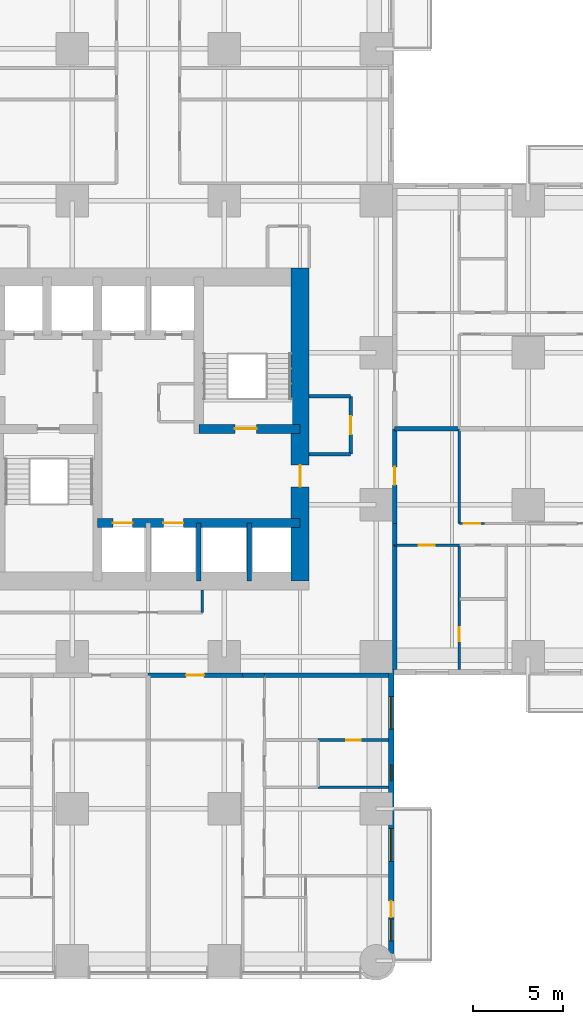
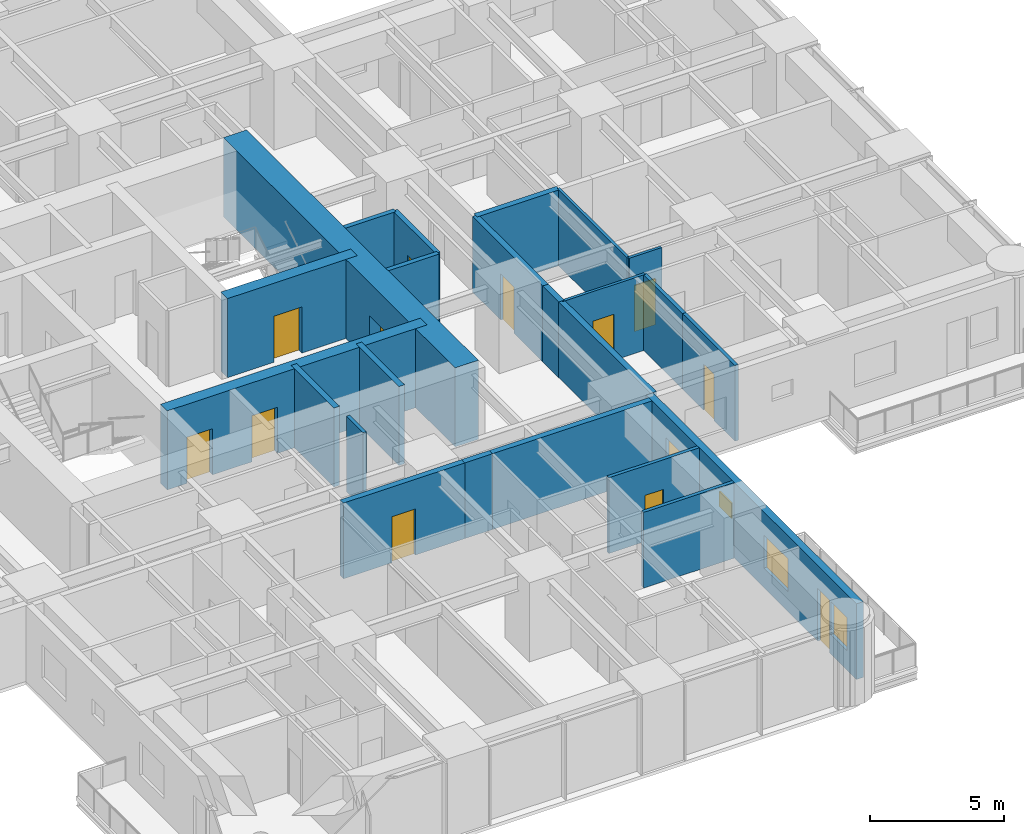
# One storey, part 10 of 17: 24 walls, 12 doors, 4 windows, 16 openings.
"""IFC4 building model written with IfcOpenShell, lengths in metres."""

from ifc_helpers import new_model, si_unit, direction, frame, frame_2d, origin, place, context, subcontext, project, spatial, rectangle, extrude, material, layer, layer_set, type_object, element, fill, save


model = new_model("IFC4")

# Units and contexts
model_context = context("Model", 3, precision=1e-05, world=origin(), true_north=direction((0.0, 1.0)))
body_context = subcontext(model_context, "Body", "Model", "MODEL_VIEW")
ifc_project = project(units=[si_unit("LENGTHUNIT", "METRE"), si_unit("AREAUNIT", "SQUARE_METRE"), si_unit("VOLUMEUNIT", "CUBIC_METRE"), si_unit("PLANEANGLEUNIT", "RADIAN"), si_unit("MASSUNIT", "GRAM", prefix="KILO")], contexts=[model_context])

# Site, building, storey
site_placement = place(None, origin())
site = spatial("IfcSite", under=ifc_project, at=site_placement, CompositionType="ELEMENT")
building_placement = place(site_placement, origin())
building = spatial("IfcBuilding", under=site, at=building_placement, Name="Torre Alcanfor", CompositionType="ELEMENT")
storey_placement = place(building_placement, frame((0.0, 0.0, 34.5)))
storey = spatial("IfcBuildingStorey", under=building, at=storey_placement, Name="L07", CompositionType="ELEMENT", Elevation=34.5)

# Wall, opening, door
ifc_material_1 = material(Name="Concrete block masonry, hollow blocks NMX-C-404 9 MPa", Category="masonry")
ifc_layer_1 = layer(ifc_material_1, 0.25)
ifc_layer_set_1 = layer_set([ifc_layer_1], Name="Apartment entrance wall 250 EI 60")
wall_type_1 = type_object("IfcWallType", Name="Apartment entrance wall 250 EI 60", PredefinedType="PARTITIONING", material=ifc_layer_set_1)
wall_1_placement = place(storey_placement, frame((43.02490234375, 29.39990234375, 0.0), z_axis=(0.0, 0.0, 1.0), x_axis=(0.0, -1.0, 0.0)))
wall_1 = element("IfcWall", 1, at=wall_1_placement, inside=storey, type_object=wall_type_1, Name="Partition L07-CORR / L07-E2-ZAG", PredefinedType="PARTITIONING", context=body_context, shape_type="SweptSolid", body=[
    extrude(rectangle(XDim=5.22900390625, YDim=0.25, at=frame_2d((2.614501953125, 0.0))), origin(), (0.0, 0.0, 1.0), 3.449951171875),
])
opening_1_placement = place(wall_1_placement, frame((2.10009765625, 0.0, 0.0)))
opening_1 = element("IfcOpeningElement", 2, at=opening_1_placement, cuts=wall_1, Name="Opening D-A1", PredefinedType="OPENING", context=body_context, shape_type="SweptSolid", body=[
    extrude(rectangle(XDim=1.0, YDim=2.10009765625, at=frame_2d((0.5, 1.050048828125))), frame((0.0, 0.135009765625, 0.0), z_axis=(0.0, -1.0, 0.0), x_axis=(1.0, 0.0, 0.0)), (0.0, 0.0, 1.0), 0.27001953125),
])
ifc_material_2 = material(Name="Galvanised steel sheet ASTM A653", Category="steel")
door_type_1 = type_object("IfcDoorType", Name="Apartment entrance door FD60 1000x2100", OperationType="SINGLE_SWING_LEFT", PredefinedType="DOOR", material=ifc_material_2)
door_1_placement = place(opening_1_placement, origin())
door_1 = element("IfcDoor", 3, at=door_1_placement, inside=storey, type_object=door_type_1, Name="Apartment entrance L07-E2", OperationType="SINGLE_SWING_LEFT", OverallHeight=2.10009765625, OverallWidth=1.0, PredefinedType="DOOR", context=body_context, shape_type="SweptSolid", body=[
    extrude(rectangle(XDim=1.0, YDim=2.10009765625, at=frame_2d((0.5, 1.050048828125))), frame((0.0, 0.02490234375, 0.0), z_axis=(0.0, -1.0, 0.0), x_axis=(1.0, 0.0, 0.0)), (0.0, 0.0, 1.0), 0.050048828125),
])
fill(opening_1, door_1)

# Walls
wall_2_placement = place(storey_placement, frame((43.02490234375, 24.1708984375, 0.0), z_axis=(0.0, 0.0, 1.0), x_axis=(0.0, -1.0, 0.0)))
element("IfcWall", 4, at=wall_2_placement, inside=storey, type_object=wall_type_1, Name="Partition L07-CORR / L07-E2-HALL", PredefinedType="PARTITIONING", context=body_context, shape_type="SweptSolid", body=[
    extrude(rectangle(XDim=1.199951171875, YDim=0.25, at=frame_2d((0.60009765625, 0.0))), origin(), (0.0, 0.0, 1.0), 3.449951171875),
])
wall_3_placement = place(storey_placement, frame((43.02490234375, 22.970947265625, 0.0), z_axis=(0.0, 0.0, 1.0), x_axis=(0.0, -1.0, 0.0)))
element("IfcWall", 5, at=wall_3_placement, inside=storey, type_object=wall_type_1, Name="Partition L07-CORR / L07-E2-SERV", PredefinedType="PARTITIONING", context=body_context, shape_type="SweptSolid", body=[
    extrude(rectangle(XDim=6.870849609375, YDim=0.25, at=frame_2d((3.435546875, 0.0))), origin(), (0.0, 0.0, 1.0), 3.449951171875),
])

# Wall, opening, door
wall_4_placement = place(storey_placement, frame((34.62890625, 15.77490234375, 0.0), z_axis=(0.0, 0.0, 1.0), x_axis=(-1.0, 0.0, 0.0)))
wall_4 = element("IfcWall", 6, at=wall_4_placement, inside=storey, type_object=wall_type_1, Name="Partition L07-CORR / L07-S1-ZAG", PredefinedType="PARTITIONING", context=body_context, shape_type="SweptSolid", body=[
    extrude(rectangle(XDim=5.22900390625, YDim=0.25, at=frame_2d((2.614501953125, 0.0))), origin(), (0.0, 0.0, 1.0), 3.449951171875),
])
opening_2_placement = place(wall_4_placement, frame((2.12890625, 0.0, 0.0)))
opening_2 = element("IfcOpeningElement", 7, at=opening_2_placement, cuts=wall_4, Name="Opening D-A1", PredefinedType="OPENING", context=body_context, shape_type="SweptSolid", body=[
    extrude(rectangle(XDim=1.0, YDim=2.10009765625, at=frame_2d((0.5, 1.050048828125))), frame((0.0, 0.135009765625, 0.0), z_axis=(0.0, -1.0, 0.0), x_axis=(1.0, 0.0, 0.0)), (0.0, 0.0, 1.0), 0.27001953125),
])
door_2_placement = place(opening_2_placement, origin())
door_2 = element("IfcDoor", 8, at=door_2_placement, inside=storey, type_object=door_type_1, Name="Apartment entrance L07-S1", OperationType="SINGLE_SWING_RIGHT", OverallHeight=2.10009765625, OverallWidth=1.0, PredefinedType="DOOR", context=body_context, shape_type="SweptSolid", body=[
    extrude(rectangle(XDim=1.0, YDim=2.10009765625, at=frame_2d((0.5, 1.050048828125))), frame((0.0, 0.02490234375, 0.0), z_axis=(0.0, -1.0, 0.0), x_axis=(1.0, 0.0, 0.0)), (0.0, 0.0, 1.0), 0.050048828125),
])
fill(opening_2, door_2)

# Walls
wall_5_placement = place(storey_placement, frame((35.8291015625, 15.77490234375, 0.0), z_axis=(0.0, 0.0, 1.0), x_axis=(-1.0, 0.0, 0.0)))
element("IfcWall", 9, at=wall_5_placement, inside=storey, type_object=wall_type_1, Name="Partition L07-CORR / L07-S1-HALL", PredefinedType="PARTITIONING", context=body_context, shape_type="SweptSolid", body=[
    extrude(rectangle(XDim=1.2001953125, YDim=0.25, at=frame_2d((0.60009765625, 0.0))), origin(), (0.0, 0.0, 1.0), 3.449951171875),
])
wall_6_placement = place(storey_placement, frame((42.699951171875, 15.77490234375, 0.0), z_axis=(0.0, 0.0, 1.0), x_axis=(-1.0, 0.0, 0.0)))
element("IfcWall", 10, at=wall_6_placement, inside=storey, type_object=wall_type_1, Name="Partition L07-CORR / L07-S1-SERV", PredefinedType="PARTITIONING", context=body_context, shape_type="SweptSolid", body=[
    extrude(rectangle(XDim=6.870849609375, YDim=0.25, at=frame_2d((3.435546875, 0.0))), origin(), (0.0, 0.0, 1.0), 3.449951171875),
])
ifc_material_3 = material(Name="Gypsum board on steel studs", Category="steel")
ifc_layer_2 = layer(ifc_material_3, 0.1201171875)
ifc_layer_set_2 = layer_set([ifc_layer_2], Name="Apartment partition 120")
wall_type_2 = type_object("IfcWallType", Name="Apartment partition 120", PredefinedType="PARTITIONING", material=ifc_layer_set_2)
wall_7_placement = place(storey_placement, frame((46.60009765625, 29.39990234375, 0.0), z_axis=(0.0, 0.0, 1.0), x_axis=(0.0, -1.0, 0.0)))
element("IfcWall", 11, at=wall_7_placement, inside=storey, type_object=wall_type_2, Name="Partition L07-E2-ZAG / L07-E2-LAUND", PredefinedType="PARTITIONING", context=body_context, shape_type="SweptSolid", body=[
    extrude(rectangle(XDim=5.22900390625, YDim=0.1201171875, at=frame_2d((2.614501953125, 0.0))), origin(), (0.0, 0.0, 1.0), 3.449951171875),
])

# Wall, opening, door
wall_8_placement = place(storey_placement, frame((48.0, 24.1708984375, 0.0), z_axis=(0.0, 0.0, 1.0), x_axis=(-1.0, 0.0, 0.0)))
wall_8 = element("IfcWall", 12, at=wall_8_placement, inside=storey, type_object=wall_type_2, Name="Partition L07-E2-LAUND / L07-E2-HALL", PredefinedType="PARTITIONING", context=body_context, shape_type="SweptSolid", body=[
    extrude(rectangle(XDim=1.39990234375, YDim=0.1201171875, at=frame_2d((0.699951171875, 0.0))), origin(), (0.0, 0.0, 1.0), 3.449951171875),
])
opening_3_placement = place(wall_8_placement, frame((0.25, 0.0, 0.0)))
opening_3 = element("IfcOpeningElement", 13, at=opening_3_placement, cuts=wall_8, Name="Opening D-R1", PredefinedType="OPENING", context=body_context, shape_type="SweptSolid", body=[
    extrude(rectangle(XDim=0.89990234375, YDim=2.10009765625, at=frame_2d((0.449951171875, 1.050048828125))), frame((0.0, 0.070068359375, 0.0), z_axis=(0.0, -1.0, 0.0), x_axis=(1.0, 0.0, 0.0)), (0.0, 0.0, 1.0), 0.14013671875),
])
ifc_material_4 = material(Name="Timber", Category="wood")
door_type_2 = type_object("IfcDoorType", Name="Internal door 900x2100", OperationType="SINGLE_SWING_LEFT", PredefinedType="DOOR", material=ifc_material_4)
door_3_placement = place(opening_3_placement, frame((0.89990234375, 0.0, 0.0), z_axis=(0.0, 0.0, 1.0), x_axis=(-1.0, 0.0, 0.0)))
door_3 = element("IfcDoor", 14, at=door_3_placement, inside=storey, type_object=door_type_2, Name="Door L07-E2 laund", OperationType="SINGLE_SWING_RIGHT", OverallHeight=2.10009765625, OverallWidth=0.89990234375, PredefinedType="DOOR", context=body_context, shape_type="SweptSolid", body=[
    extrude(rectangle(XDim=0.89990234375, YDim=2.10009765625, at=frame_2d((0.449951171875, 1.050048828125))), frame((0.0, 0.025146484375, 0.0), z_axis=(0.0, -1.0, 0.0), x_axis=(1.0, 0.0, 0.0)), (0.0, 0.0, 1.0), 0.050048828125),
])
fill(opening_3, door_3)

wall_9_placement = place(storey_placement, frame((46.60009765625, 22.970947265625, 0.0), z_axis=(0.0, 0.0, 1.0), x_axis=(-1.0, 0.0, 0.0)))
wall_9 = element("IfcWall", 15, at=wall_9_placement, inside=storey, type_object=wall_type_2, Name="Partition L07-E2-HALL / L07-E2-SERV", PredefinedType="PARTITIONING", context=body_context, shape_type="SweptSolid", body=[
    extrude(rectangle(XDim=3.5751953125, YDim=0.1201171875, at=frame_2d((1.78759765625, 0.0))), origin(), (0.0, 0.0, 1.0), 3.449951171875),
])
opening_4_placement = place(wall_9_placement, frame((1.35009765625, 0.0, 0.0)))
opening_4 = element("IfcOpeningElement", 16, at=opening_4_placement, cuts=wall_9, Name="Opening D-R1", PredefinedType="OPENING", context=body_context, shape_type="SweptSolid", body=[
    extrude(rectangle(XDim=0.89990234375, YDim=2.10009765625, at=frame_2d((0.449951171875, 1.050048828125))), frame((0.0, 0.070068359375, 0.0), z_axis=(0.0, -1.0, 0.0), x_axis=(1.0, 0.0, 0.0)), (0.0, 0.0, 1.0), 0.14013671875),
])
door_4_placement = place(opening_4_placement, origin())
door_4 = element("IfcDoor", 17, at=door_4_placement, inside=storey, type_object=door_type_2, Name="Door L07-E2 serv", OperationType="SINGLE_SWING_RIGHT", OverallHeight=2.10009765625, OverallWidth=0.89990234375, PredefinedType="DOOR", context=body_context, shape_type="SweptSolid", body=[
    extrude(rectangle(XDim=0.89990234375, YDim=2.10009765625, at=frame_2d((0.449951171875, 1.050048828125))), frame((0.0, 0.02490234375, 0.0), z_axis=(0.0, -1.0, 0.0), x_axis=(1.0, 0.0, 0.0)), (0.0, 0.0, 1.0), 0.050048828125),
])
fill(opening_4, door_4)

# Wall, openings, doors
ifc_material_5 = material(Name="Concrete f'c 70 MPa", Category="concrete")
ifc_layer_3 = layer(ifc_material_5, 0.5)
ifc_layer_set_3 = layer_set([ifc_layer_3], Name="Core inner wall 500 f'c70")
wall_type_3 = type_object("IfcWallType", Name="Core inner wall 500 f'c70", PredefinedType="SHEAR", material=ifc_layer_set_3)
wall_10_placement = place(storey_placement, frame((26.60009765625, 24.199951171875, 0.0), z_axis=(0.0, 0.0, 1.0), x_axis=(1.0, 0.0, 0.0)))
wall_10 = element("IfcWall", 18, at=wall_10_placement, inside=storey, type_object=wall_type_3, Name="Core wall Y242 L07", PredefinedType="SHEAR", context=body_context, shape_type="SweptSolid", body=[
    extrude(rectangle(XDim=11.199951171875, YDim=0.5, at=frame_2d((5.60009765625, 0.0))), origin(), (0.0, 0.0, 1.0), 3.60009765625),
])
opening_5_placement = place(wall_10_placement, frame((0.85009765625, 0.0, 0.0)))
opening_5 = element("IfcOpeningElement", 19, at=opening_5_placement, cuts=wall_10, Name="Opening LD1", PredefinedType="OPENING", context=body_context, shape_type="SweptSolid", body=[
    extrude(rectangle(XDim=1.10009765625, YDim=2.10009765625, at=frame_2d((0.550048828125, 1.050048828125))), frame((0.0, 0.260009765625, 0.0), z_axis=(0.0, -1.0, 0.0), x_axis=(1.0, 0.0, 0.0)), (0.0, 0.0, 1.0), 0.52001953125),
])
opening_6_placement = place(wall_10_placement, frame((3.64990234375, 0.0, 0.0)))
opening_6 = element("IfcOpeningElement", 20, at=opening_6_placement, cuts=wall_10, Name="Opening LD1", PredefinedType="OPENING", context=body_context, shape_type="SweptSolid", body=[
    extrude(rectangle(XDim=1.10009765625, YDim=2.10009765625, at=frame_2d((0.550048828125, 1.050048828125))), frame((0.0, 0.260009765625, 0.0), z_axis=(0.0, -1.0, 0.0), x_axis=(1.0, 0.0, 0.0)), (0.0, 0.0, 1.0), 0.52001953125),
])
ifc_material_6 = material(Name="Galvanised steel sheet ASTM A653", Category="steel")
door_type_3 = type_object("IfcDoorType", Name="Lift landing door 1100x2100", OperationType="DOUBLE_DOOR_SLIDING", PredefinedType="DOOR", material=ifc_material_6)
door_5_placement = place(opening_5_placement, origin())
door_5 = element("IfcDoor", 21, at=door_5_placement, inside=storey, type_object=door_type_3, Name="Lift landing door PA1 L07", OperationType="DOUBLE_DOOR_SLIDING", OverallHeight=2.10009765625, OverallWidth=1.10009765625, PredefinedType="DOOR", context=body_context, shape_type="SweptSolid", body=[
    extrude(rectangle(XDim=1.10009765625, YDim=2.10009765625, at=frame_2d((0.550048828125, 1.050048828125))), frame((0.0, 0.02490234375, 0.0), z_axis=(0.0, -1.0, 0.0), x_axis=(1.0, 0.0, 0.0)), (0.0, 0.0, 1.0), 0.050048828125),
])
fill(opening_5, door_5)
door_6_placement = place(opening_6_placement, origin())
door_6 = element("IfcDoor", 22, at=door_6_placement, inside=storey, type_object=door_type_3, Name="Lift landing door PA2 L07", OperationType="DOUBLE_DOOR_SLIDING", OverallHeight=2.10009765625, OverallWidth=1.10009765625, PredefinedType="DOOR", context=body_context, shape_type="SweptSolid", body=[
    extrude(rectangle(XDim=1.10009765625, YDim=2.10009765625, at=frame_2d((0.550048828125, 1.050048828125))), frame((0.0, 0.02490234375, 0.0), z_axis=(0.0, -1.0, 0.0), x_axis=(1.0, 0.0, 0.0)), (0.0, 0.0, 1.0), 0.050048828125),
])
fill(opening_6, door_6)

# Wall, opening, door
wall_11_placement = place(storey_placement, frame((32.199951171875, 29.39990234375, 0.0), z_axis=(0.0, 0.0, 1.0), x_axis=(1.0, 0.0, 0.0)))
wall_11 = element("IfcWall", 23, at=wall_11_placement, inside=storey, type_object=wall_type_3, Name="Core wall Y294E L07", PredefinedType="SHEAR", context=body_context, shape_type="SweptSolid", body=[
    extrude(rectangle(XDim=5.60009765625, YDim=0.5, at=frame_2d((2.800048828125, 0.0))), origin(), (0.0, 0.0, 1.0), 3.60009765625),
])
opening_7_placement = place(wall_11_placement, frame((2.0, 0.0, 0.0)))
opening_7 = element("IfcOpeningElement", 24, at=opening_7_placement, cuts=wall_11, Name="Opening D-S2", PredefinedType="OPENING", context=body_context, shape_type="SweptSolid", body=[
    extrude(rectangle(XDim=1.199951171875, YDim=2.10009765625, at=frame_2d((0.60009765625, 1.050048828125))), frame((0.0, 0.260009765625, 0.0), z_axis=(0.0, -1.0, 0.0), x_axis=(1.0, 0.0, 0.0)), (0.0, 0.0, 1.0), 0.52001953125),
])
ifc_material_7 = material(Name="Galvanised steel sheet ASTM A653", Category="steel")
door_type_4 = type_object("IfcDoorType", Name="Stair enclosure door FD120 1200x2100", OperationType="SINGLE_SWING_LEFT", PredefinedType="DOOR", material=ifc_material_7)
door_7_placement = place(opening_7_placement, origin())
door_7 = element("IfcDoor", 25, at=door_7_placement, inside=storey, type_object=door_type_4, Name="Stair S2 door L07", OperationType="SINGLE_SWING_LEFT", OverallHeight=2.10009765625, OverallWidth=1.199951171875, PredefinedType="DOOR", context=body_context, shape_type="SweptSolid", body=[
    extrude(rectangle(XDim=1.199951171875, YDim=2.10009765625, at=frame_2d((0.60009765625, 1.050048828125))), frame((0.0, 0.02490234375, 0.0), z_axis=(0.0, -1.0, 0.0), x_axis=(1.0, 0.0, 0.0)), (0.0, 0.0, 1.0), 0.050048828125),
])
fill(opening_7, door_7)

# Walls
ifc_material_8 = material(Name="Concrete f'c 70 MPa", Category="concrete")
ifc_layer_4 = layer(ifc_material_8, 0.25)
ifc_layer_set_4 = layer_set([ifc_layer_4], Name="Core shaft wall 250 f'c70")
wall_type_4 = type_object("IfcWallType", Name="Core shaft wall 250 f'c70", PredefinedType="SHEAR", material=ifc_layer_set_4)
for number, where, z_axis, x_axis, name in (
    (26, (32.199951171875, 21.0, 0.0), (0.0, 0.0, 1.0), (0.0, 1.0, 0.0), "Core wall X322S L07"),
    (27, (35.0, 21.0, 0.0), (0.0, 0.0, 1.0), (0.0, 1.0, 0.0), "Core wall X350S L07"),
):
    element("IfcWall", number, at=place(storey_placement, frame(where, z_axis=z_axis, x_axis=x_axis)), inside=storey, type_object=wall_type_4, Name=name, PredefinedType="SHEAR", context=body_context, shape_type="SweptSolid", body=[
        extrude(rectangle(XDim=3.199951171875, YDim=0.25, at=frame_2d((1.60009765625, 0.0))), origin(), (0.0, 0.0, 1.0), 3.60009765625),
    ])

# Wall, opening, door
ifc_material_9 = material(Name="Concrete f'c 70 MPa", Category="concrete")
ifc_layer_5 = layer(ifc_material_9, 1.0)
ifc_layer_set_5 = layer_set([ifc_layer_5], Name="Core wall 1000 f'c70")
wall_type_5 = type_object("IfcWallType", Name="Core wall 1000 f'c70", PredefinedType="SHEAR", material=ifc_layer_set_5)
wall_12_placement = place(storey_placement, frame((37.800048828125, 21.0, 0.0), z_axis=(0.0, 0.0, 1.0), x_axis=(0.0, 1.0, 0.0)))
wall_12 = element("IfcWall", 28, at=wall_12_placement, inside=storey, type_object=wall_type_5, Name="Core wall OUT-E L07", PredefinedType="SHEAR", context=body_context, shape_type="SweptSolid", body=[
    extrude(rectangle(XDim=17.300048828125, YDim=1.0, at=frame_2d((8.64990234375, 0.0))), origin(), (0.0, 0.0, 1.0), 3.60009765625),
])
opening_8_placement = place(wall_12_placement, frame((5.199951171875, 0.0, 0.0)))
opening_8 = element("IfcOpeningElement", 29, at=opening_8_placement, cuts=wall_12, Name="Opening D-L1", PredefinedType="OPENING", context=body_context, shape_type="SweptSolid", body=[
    extrude(rectangle(XDim=1.199951171875, YDim=2.10009765625, at=frame_2d((0.60009765625, 1.050048828125))), frame((0.0, 0.510009765625, 0.0), z_axis=(0.0, -1.0, 0.0), x_axis=(1.0, 0.0, 0.0)), (0.0, 0.0, 1.0), 1.02001953125),
])
ifc_material_10 = material(Name="Galvanised steel sheet ASTM A653", Category="steel")
door_type_5 = type_object("IfcDoorType", Name="Lobby door FD120 1200x2100", OperationType="SINGLE_SWING_LEFT", PredefinedType="DOOR", material=ifc_material_10)
door_8_placement = place(opening_8_placement, origin())
door_8 = element("IfcDoor", 30, at=door_8_placement, inside=storey, type_object=door_type_5, Name="Lift lobby entrance door L07", OperationType="SINGLE_SWING_LEFT", OverallHeight=2.10009765625, OverallWidth=1.199951171875, PredefinedType="DOOR", context=body_context, shape_type="SweptSolid", body=[
    extrude(rectangle(XDim=1.199951171875, YDim=2.10009765625, at=frame_2d((0.60009765625, 1.050048828125))), frame((0.0, 0.02490234375, 0.0), z_axis=(0.0, -1.0, 0.0), x_axis=(1.0, 0.0, 0.0)), (0.0, 0.0, 1.0), 0.050048828125),
])
fill(opening_8, door_8)

# Wall, openings, door, windows
ifc_material_11 = material(Name="Limestone cladding", Category="masonry")
ifc_layer_6 = layer(ifc_material_11, 0.0400390625, Name="Facing")
ifc_material_12 = material(Name="Ventilated air cavity")
ifc_layer_7 = layer(ifc_material_12, 0.02001953125, ventilated=True, Name="Ventilated joint")
ifc_material_13 = material(Name="Mineral wool insulation", Category="insulation")
ifc_layer_8 = layer(ifc_material_13, 0.10009765625, Name="Insulation")
ifc_material_14 = material(Name="Concrete f'c 35 MPa", Category="concrete")
ifc_layer_9 = layer(ifc_material_14, 0.139892578125, Name="Backing")
ifc_layer_set_6 = layer_set([ifc_layer_6, ifc_layer_7, ifc_layer_8, ifc_layer_9], Name="External wall stone-clad 300")
wall_type_6 = type_object("IfcWallType", Name="External wall stone-clad 300", PredefinedType="SOLIDWALL", material=ifc_layer_set_6)
wall_13_placement = place(storey_placement, frame((42.85009765625, 0.39990234375, 0.0), z_axis=(0.0, 0.0, 1.0), x_axis=(0.0, 1.0, 0.0)))
wall_13 = element("IfcWall", 31, at=wall_13_placement, inside=storey, type_object=wall_type_6, Name="External wall L07 6", PredefinedType="SOLIDWALL", context=body_context, shape_type="SweptSolid", body=[
    extrude(rectangle(XDim=15.7001953125, YDim=0.300048828125, at=frame_2d((7.85009765625, 0.0))), origin(), (0.0, 0.0, 1.0), 3.449951171875),
])
opening_9_placement = place(wall_13_placement, frame((12.39990234375, 0.0, 0.89990234375)))
opening_9 = element("IfcOpeningElement", 32, at=opening_9_placement, cuts=wall_13, Name="Opening W2", PredefinedType="OPENING", context=body_context, shape_type="SweptSolid", body=[
    extrude(rectangle(XDim=1.800048828125, YDim=1.5, at=frame_2d((0.89990234375, 0.75))), frame((0.0, 0.159912109375, 0.0), z_axis=(0.0, -1.0, 0.0), x_axis=(1.0, 0.0, 0.0)), (0.0, 0.0, 1.0), 0.320068359375),
])
opening_10_placement = place(wall_13_placement, frame((9.550048828125, 0.0, 1.5)))
opening_10 = element("IfcOpeningElement", 33, at=opening_10_placement, cuts=wall_13, Name="Opening W3", PredefinedType="OPENING", context=body_context, shape_type="SweptSolid", body=[
    extrude(rectangle(XDim=0.89990234375, YDim=0.699951171875, at=frame_2d((0.449951171875, 0.35009765625))), frame((0.0, 0.159912109375, 0.0), z_axis=(0.0, -1.0, 0.0), x_axis=(1.0, 0.0, 0.0)), (0.0, 0.0, 1.0), 0.320068359375),
])
opening_11_placement = place(wall_13_placement, frame((5.10009765625, 0.0, 0.89990234375)))
opening_11 = element("IfcOpeningElement", 34, at=opening_11_placement, cuts=wall_13, Name="Opening W2", PredefinedType="OPENING", context=body_context, shape_type="SweptSolid", body=[
    extrude(rectangle(XDim=1.800048828125, YDim=1.5, at=frame_2d((0.89990234375, 0.75))), frame((0.0, 0.159912109375, 0.0), z_axis=(0.0, -1.0, 0.0), x_axis=(1.0, 0.0, 0.0)), (0.0, 0.0, 1.0), 0.320068359375),
])
opening_12_placement = place(wall_13_placement, frame((2.0, 0.0, 0.0)))
opening_12 = element("IfcOpeningElement", 35, at=opening_12_placement, cuts=wall_13, Name="Opening D-B1", PredefinedType="OPENING", context=body_context, shape_type="SweptSolid", body=[
    extrude(rectangle(XDim=0.89990234375, YDim=2.39990234375, at=frame_2d((0.449951171875, 1.199951171875))), frame((0.0, 0.159912109375, 0.0), z_axis=(0.0, -1.0, 0.0), x_axis=(1.0, 0.0, 0.0)), (0.0, 0.0, 1.0), 0.320068359375),
])
opening_13_placement = place(wall_13_placement, frame((0.699951171875, 0.0, 0.89990234375)))
opening_13 = element("IfcOpeningElement", 36, at=opening_13_placement, cuts=wall_13, Name="Opening W4", PredefinedType="OPENING", context=body_context, shape_type="SweptSolid", body=[
    extrude(rectangle(XDim=1.199951171875, YDim=1.5, at=frame_2d((0.60009765625, 0.75))), frame((0.0, 0.159912109375, 0.0), z_axis=(0.0, -1.0, 0.0), x_axis=(1.0, 0.0, 0.0)), (0.0, 0.0, 1.0), 0.320068359375),
])
ifc_material_15 = material(Name="Aluminium and glass", Category="aluminium")
door_type_6 = type_object("IfcDoorType", Name="Balcony door glazed 900x2400", OperationType="SINGLE_SWING_LEFT", PredefinedType="DOOR", material=ifc_material_15)
door_9_placement = place(opening_12_placement, origin())
door_9 = element("IfcDoor", 37, at=door_9_placement, inside=storey, type_object=door_type_6, Name="Balcony door L07-S1", OperationType="SINGLE_SWING_RIGHT", OverallHeight=2.39990234375, OverallWidth=0.89990234375, PredefinedType="DOOR", context=body_context, shape_type="SweptSolid", body=[
    extrude(rectangle(XDim=0.89990234375, YDim=2.39990234375, at=frame_2d((0.449951171875, 1.199951171875))), frame((0.0, 0.02490234375, 0.0), z_axis=(0.0, -1.0, 0.0), x_axis=(1.0, 0.0, 0.0)), (0.0, 0.0, 1.0), 0.050048828125),
])
fill(opening_12, door_9)
ifc_material_16 = material(Name="Aluminium frame with clear double glazing", Category="aluminium")
window_type_1 = type_object("IfcWindowType", Name="Window bathroom 900x700", PartitioningType="SINGLE_PANEL", PredefinedType="WINDOW", material=ifc_material_16)
window_1_placement = place(opening_10_placement, origin())
window_1 = element("IfcWindow", 38, at=window_1_placement, inside=storey, type_object=window_type_1, Name="Window W3 L07-S1", OverallHeight=0.699951171875, OverallWidth=0.89990234375, PartitioningType="SINGLE_PANEL", PredefinedType="WINDOW", context=body_context, shape_type="SweptSolid", body=[
    extrude(rectangle(XDim=0.89990234375, YDim=0.699951171875, at=frame_2d((0.449951171875, 0.35009765625))), frame((0.0, 0.030029296875, 0.0), z_axis=(0.0, -1.0, 0.0), x_axis=(1.0, 0.0, 0.0)), (0.0, 0.0, 1.0), 0.06005859375),
])
fill(opening_10, window_1)
ifc_material_17 = material(Name="Aluminium frame with clear double glazing", Category="aluminium")
window_type_2 = type_object("IfcWindowType", Name="Window bedroom 1200x1500", PartitioningType="SINGLE_PANEL", PredefinedType="WINDOW", material=ifc_material_17)
window_2_placement = place(opening_13_placement, origin())
window_2 = element("IfcWindow", 39, at=window_2_placement, inside=storey, type_object=window_type_2, Name="Window W4 L07-S1", OverallHeight=1.5, OverallWidth=1.199951171875, PartitioningType="SINGLE_PANEL", PredefinedType="WINDOW", context=body_context, shape_type="SweptSolid", body=[
    extrude(rectangle(XDim=1.199951171875, YDim=1.5, at=frame_2d((0.60009765625, 0.75))), frame((0.0, 0.030029296875, 0.0), z_axis=(0.0, -1.0, 0.0), x_axis=(1.0, 0.0, 0.0)), (0.0, 0.0, 1.0), 0.06005859375),
])
fill(opening_13, window_2)
ifc_material_18 = material(Name="Aluminium frame with clear double glazing", Category="aluminium")
window_type_3 = type_object("IfcWindowType", Name="Window bedroom 1800x1500", PartitioningType="SINGLE_PANEL", PredefinedType="WINDOW", material=ifc_material_18)
window_3_placement = place(opening_9_placement, origin())
window_3 = element("IfcWindow", 40, at=window_3_placement, inside=storey, type_object=window_type_3, Name="Window W2 L07-S1", OverallHeight=1.5, OverallWidth=1.800048828125, PartitioningType="SINGLE_PANEL", PredefinedType="WINDOW", context=body_context, shape_type="SweptSolid", body=[
    extrude(rectangle(XDim=1.800048828125, YDim=1.5, at=frame_2d((0.89990234375, 0.75))), frame((0.0, 0.030029296875, 0.0), z_axis=(0.0, -1.0, 0.0), x_axis=(1.0, 0.0, 0.0)), (0.0, 0.0, 1.0), 0.06005859375),
])
fill(opening_9, window_3)
window_4_placement = place(opening_11_placement, origin())
window_4 = element("IfcWindow", 41, at=window_4_placement, inside=storey, type_object=window_type_3, Name="Window W2 L07-S1", OverallHeight=1.5, OverallWidth=1.800048828125, PartitioningType="SINGLE_PANEL", PredefinedType="WINDOW", context=body_context, shape_type="SweptSolid", body=[
    extrude(rectangle(XDim=1.800048828125, YDim=1.5, at=frame_2d((0.89990234375, 0.75))), frame((0.0, 0.030029296875, 0.0), z_axis=(0.0, -1.0, 0.0), x_axis=(1.0, 0.0, 0.0)), (0.0, 0.0, 1.0), 0.06005859375),
])
fill(opening_11, window_4)

# Walls
ifc_material_19 = material(Name="Concrete block masonry, hollow blocks NMX-C-404 9 MPa", Category="masonry")
ifc_layer_10 = layer(ifc_material_19, 0.25)
ifc_layer_set_7 = layer_set([ifc_layer_10], Name="Party wall 250 EI 60")
wall_type_7 = type_object("IfcWallType", Name="Party wall 250 EI 60", PredefinedType="PARTITIONING", material=ifc_layer_set_7)
wall_14_placement = place(storey_placement, frame((43.02490234375, 29.39990234375, 0.0), z_axis=(0.0, 0.0, 1.0), x_axis=(1.0, 0.0, 0.0)))
element("IfcWall", 42, at=wall_14_placement, inside=storey, type_object=wall_type_7, Name="Partition L07-E1-ZAG / L07-E2-ZAG", PredefinedType="PARTITIONING", context=body_context, shape_type="SweptSolid", body=[
    extrude(rectangle(XDim=3.5751953125, YDim=0.25, at=frame_2d((1.78759765625, 0.0))), origin(), (0.0, 0.0, 1.0), 3.449951171875),
])
ifc_material_20 = material(Name="Concrete block masonry, hollow blocks NMX-C-404 9 MPa", Category="masonry")
ifc_layer_11 = layer(ifc_material_20, 0.199951171875)
ifc_layer_set_8 = layer_set([ifc_layer_11], Name="Plant room wall 200 EI 60")
wall_type_8 = type_object("IfcWallType", Name="Plant room wall 200 EI 60", PredefinedType="PARTITIONING", material=ifc_layer_set_8)
wall_15_placement = place(storey_placement, frame((38.300048828125, 28.0, 0.0), z_axis=(0.0, 0.0, 1.0), x_axis=(1.0, 0.0, 0.0)))
element("IfcWall", 43, at=wall_15_placement, inside=storey, type_object=wall_type_8, Name="Partition L07-CORR / L07-G03", PredefinedType="PARTITIONING", context=body_context, shape_type="SweptSolid", body=[
    extrude(rectangle(XDim=2.300048828125, YDim=0.199951171875, at=frame_2d((1.14990234375, 0.0))), origin(), (0.0, 0.0, 1.0), 3.449951171875),
])

# Wall, opening, door
wall_16_placement = place(storey_placement, frame((40.60009765625, 28.0, 0.0), z_axis=(0.0, 0.0, 1.0), x_axis=(0.0, 1.0, 0.0)))
wall_16 = element("IfcWall", 44, at=wall_16_placement, inside=storey, type_object=wall_type_8, Name="Partition L07-CORR / L07-G03", PredefinedType="PARTITIONING", context=body_context, shape_type="SweptSolid", body=[
    extrude(rectangle(XDim=3.199951171875, YDim=0.199951171875, at=frame_2d((1.60009765625, 0.0))), origin(), (0.0, 0.0, 1.0), 3.449951171875),
])
opening_14_placement = place(wall_16_placement, frame((1.10009765625, 0.0, 0.0)))
opening_14 = element("IfcOpeningElement", 45, at=opening_14_placement, cuts=wall_16, Name="Opening D-K1", PredefinedType="OPENING", context=body_context, shape_type="SweptSolid", body=[
    extrude(rectangle(XDim=1.0, YDim=2.10009765625, at=frame_2d((0.5, 1.050048828125))), frame((0.0, 0.10986328125, 0.0), z_axis=(0.0, -1.0, 0.0), x_axis=(1.0, 0.0, 0.0)), (0.0, 0.0, 1.0), 0.219970703125),
])
ifc_material_21 = material(Name="Galvanised steel sheet ASTM A653", Category="steel")
door_type_7 = type_object("IfcDoorType", Name="Core room door FD60 1000x2100", OperationType="SINGLE_SWING_LEFT", PredefinedType="DOOR", material=ifc_material_21)
door_10_placement = place(opening_14_placement, origin())
door_10 = element("IfcDoor", 46, at=door_10_placement, inside=storey, type_object=door_type_7, Name="Door L07-G03 refuse and recycling store", OperationType="SINGLE_SWING_LEFT", OverallHeight=2.10009765625, OverallWidth=1.0, PredefinedType="DOOR", context=body_context, shape_type="SweptSolid", body=[
    extrude(rectangle(XDim=1.0, YDim=2.10009765625, at=frame_2d((0.5, 1.050048828125))), frame((0.0, 0.02490234375, 0.0), z_axis=(0.0, -1.0, 0.0), x_axis=(1.0, 0.0, 0.0)), (0.0, 0.0, 1.0), 0.050048828125),
])
fill(opening_14, door_10)

# Walls
wall_17_placement = place(storey_placement, frame((40.60009765625, 31.199951171875, 0.0), z_axis=(0.0, 0.0, 1.0), x_axis=(-1.0, 0.0, 0.0)))
element("IfcWall", 47, at=wall_17_placement, inside=storey, type_object=wall_type_8, Name="Partition L07-CORR / L07-G03", PredefinedType="PARTITIONING", context=body_context, shape_type="SweptSolid", body=[
    extrude(rectangle(XDim=2.300048828125, YDim=0.199951171875, at=frame_2d((1.14990234375, 0.0))), origin(), (0.0, 0.0, 1.0), 3.449951171875),
])
ifc_material_22 = material(Name="Concrete block masonry, hollow blocks NMX-C-404 9 MPa", Category="masonry")
ifc_layer_12 = layer(ifc_material_22, 0.14990234375)
ifc_layer_set_9 = layer_set([ifc_layer_12], Name="Residents' room partition 150")
wall_type_9 = type_object("IfcWallType", Name="Residents' room partition 150", PredefinedType="PARTITIONING", material=ifc_layer_set_9)
wall_18_placement = place(storey_placement, frame((32.39990234375, 19.25, 0.0), z_axis=(0.0, 0.0, 1.0), x_axis=(0.0, 1.0, 0.0)))
element("IfcWall", 48, at=wall_18_placement, inside=storey, type_object=wall_type_9, Name="Partition L07-CORR / L07-G04", PredefinedType="PARTITIONING", context=body_context, shape_type="SweptSolid", body=[
    extrude(rectangle(XDim=1.25, YDim=0.14990234375, at=frame_2d((0.625, 0.0))), origin(), (0.0, 0.0, 1.0), 3.449951171875),
])
ifc_material_23 = material(Name="Cement board on steel studs", Category="steel")
ifc_layer_13 = layer(ifc_material_23, 0.14990234375)
ifc_layer_set_10 = layer_set([ifc_layer_13], Name="Wet area partition 150")
wall_type_10 = type_object("IfcWallType", Name="Wet area partition 150", PredefinedType="PARTITIONING", material=ifc_layer_set_10)
wall_19_placement = place(storey_placement, frame((46.60009765625, 22.970947265625, 0.0), z_axis=(0.0, 0.0, 1.0), x_axis=(0.0, -1.0, 0.0)))
element("IfcWall", 49, at=wall_19_placement, inside=storey, type_object=wall_type_10, Name="Partition L07-E2-SERV / L07-E2-BATH1", PredefinedType="PARTITIONING", context=body_context, shape_type="SweptSolid", body=[
    extrude(rectangle(XDim=2.970947265625, YDim=0.14990234375, at=frame_2d((1.4853515625, 0.0))), origin(), (0.0, 0.0, 1.0), 3.449951171875),
])

# Wall, opening, door
wall_20_placement = place(storey_placement, frame((46.60009765625, 20.0, 0.0), z_axis=(0.0, 0.0, 1.0), x_axis=(0.0, -1.0, 0.0)))
wall_20 = element("IfcWall", 50, at=wall_20_placement, inside=storey, type_object=wall_type_10, Name="Partition L07-E2-SERV / L07-E2-SBATH", PredefinedType="PARTITIONING", context=body_context, shape_type="SweptSolid", body=[
    extrude(rectangle(XDim=3.89990234375, YDim=0.14990234375, at=frame_2d((1.949951171875, 0.0))), origin(), (0.0, 0.0, 1.0), 3.449951171875),
])
opening_15_placement = place(wall_20_placement, frame((1.550048828125, 0.0, 0.0)))
opening_15 = element("IfcOpeningElement", 51, at=opening_15_placement, cuts=wall_20, Name="Opening D-R2", PredefinedType="OPENING", context=body_context, shape_type="SweptSolid", body=[
    extrude(rectangle(XDim=0.800048828125, YDim=2.10009765625, at=frame_2d((0.39990234375, 1.050048828125))), frame((0.0, 0.0849609375, 0.0), z_axis=(0.0, -1.0, 0.0), x_axis=(1.0, 0.0, 0.0)), (0.0, 0.0, 1.0), 0.169921875),
])
ifc_material_24 = material(Name="Timber", Category="wood")
door_type_8 = type_object("IfcDoorType", Name="Bathroom door 800x2100", OperationType="SINGLE_SWING_LEFT", PredefinedType="DOOR", material=ifc_material_24)
door_11_placement = place(opening_15_placement, origin())
door_11 = element("IfcDoor", 52, at=door_11_placement, inside=storey, type_object=door_type_8, Name="Door L07-E2 sbath", OperationType="SINGLE_SWING_LEFT", OverallHeight=2.10009765625, OverallWidth=0.800048828125, PredefinedType="DOOR", context=body_context, shape_type="SweptSolid", body=[
    extrude(rectangle(XDim=0.800048828125, YDim=2.10009765625, at=frame_2d((0.39990234375, 1.050048828125))), frame((0.0, 0.02490234375, 0.0), z_axis=(0.0, -1.0, 0.0), x_axis=(1.0, 0.0, 0.0)), (0.0, 0.0, 1.0), 0.050048828125),
])
fill(opening_15, door_11)

wall_21_placement = place(storey_placement, frame((38.800048828125, 12.199951171875, 0.0), z_axis=(0.0, 0.0, 1.0), x_axis=(1.0, 0.0, 0.0)))
wall_21 = element("IfcWall", 53, at=wall_21_placement, inside=storey, type_object=wall_type_10, Name="Partition L07-S1-SERV / L07-S1-SBATH", PredefinedType="PARTITIONING", context=body_context, shape_type="SweptSolid", body=[
    extrude(rectangle(XDim=3.89990234375, YDim=0.14990234375, at=frame_2d((1.949951171875, 0.0))), origin(), (0.0, 0.0, 1.0), 3.449951171875),
])
opening_16_placement = place(wall_21_placement, frame((1.550048828125, 0.0, 0.0)))
opening_16 = element("IfcOpeningElement", 54, at=opening_16_placement, cuts=wall_21, Name="Opening D-R2", PredefinedType="OPENING", context=body_context, shape_type="SweptSolid", body=[
    extrude(rectangle(XDim=0.800048828125, YDim=2.10009765625, at=frame_2d((0.39990234375, 1.050048828125))), frame((0.0, 0.0849609375, 0.0), z_axis=(0.0, -1.0, 0.0), x_axis=(1.0, 0.0, 0.0)), (0.0, 0.0, 1.0), 0.169921875),
])
door_12_placement = place(opening_16_placement, frame((0.800048828125, 0.0, 0.0), z_axis=(0.0, 0.0, 1.0), x_axis=(-1.0, 0.0, 0.0)))
door_12 = element("IfcDoor", 55, at=door_12_placement, inside=storey, type_object=door_type_8, Name="Door L07-S1 sbath", OperationType="SINGLE_SWING_RIGHT", OverallHeight=2.10009765625, OverallWidth=0.800048828125, PredefinedType="DOOR", context=body_context, shape_type="SweptSolid", body=[
    extrude(rectangle(XDim=0.800048828125, YDim=2.10009765625, at=frame_2d((0.400146484375, 1.050048828125))), frame((0.0, 0.025146484375, 0.0), z_axis=(0.0, -1.0, 0.0), x_axis=(1.0, 0.0, 0.0)), (0.0, 0.0, 1.0), 0.050048828125),
])
fill(opening_16, door_12)

# Wall
wall_22_placement = place(storey_placement, frame((38.800048828125, 9.60009765625, 0.0), z_axis=(0.0, 0.0, 1.0), x_axis=(1.0, 0.0, 0.0)))
element("IfcWall", 56, at=wall_22_placement, inside=storey, type_object=wall_type_10, Name="Partition L07-S1-SBATH / L07-S1-BED3", PredefinedType="PARTITIONING", context=body_context, shape_type="SweptSolid", body=[
    extrude(rectangle(XDim=3.89990234375, YDim=0.14990234375, at=frame_2d((1.949951171875, 0.0))), origin(), (0.0, 0.0, 1.0), 3.449951171875),
])

save(model, "model.ifc")
